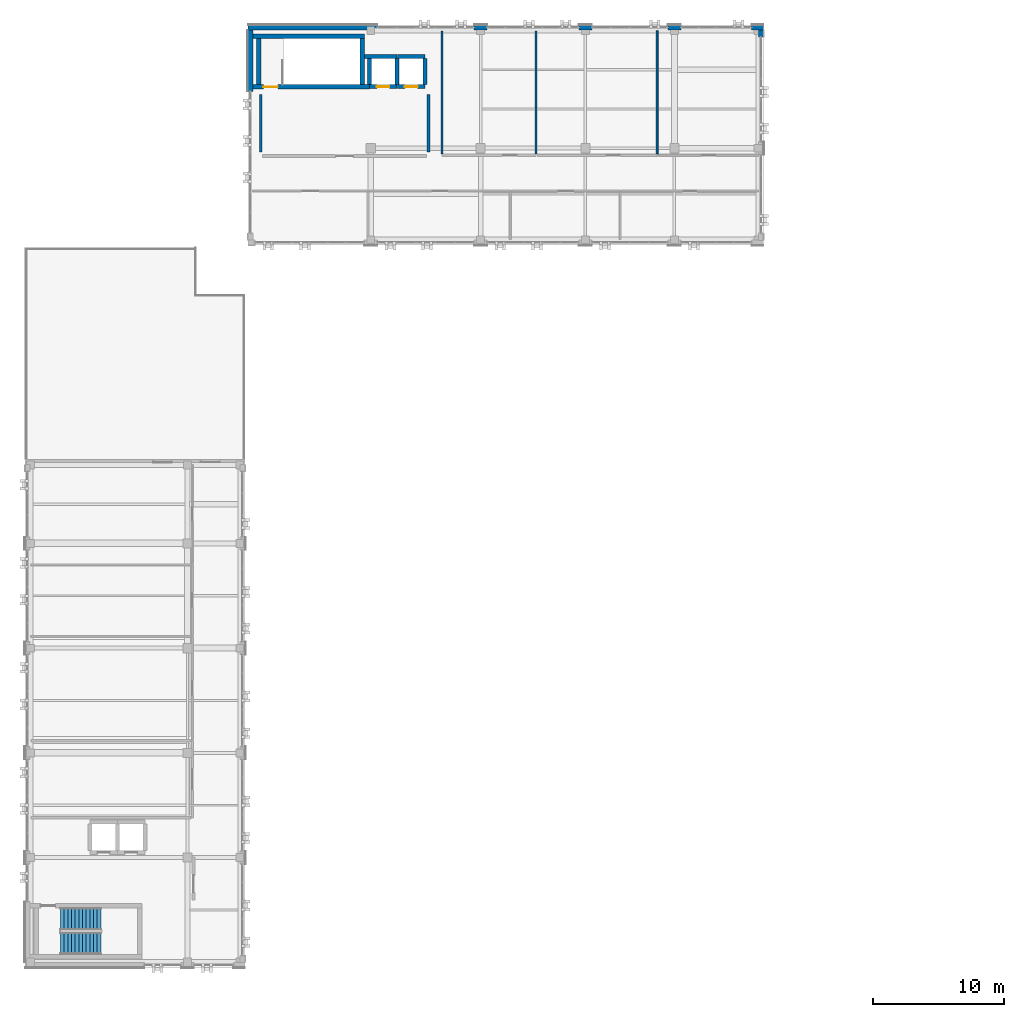
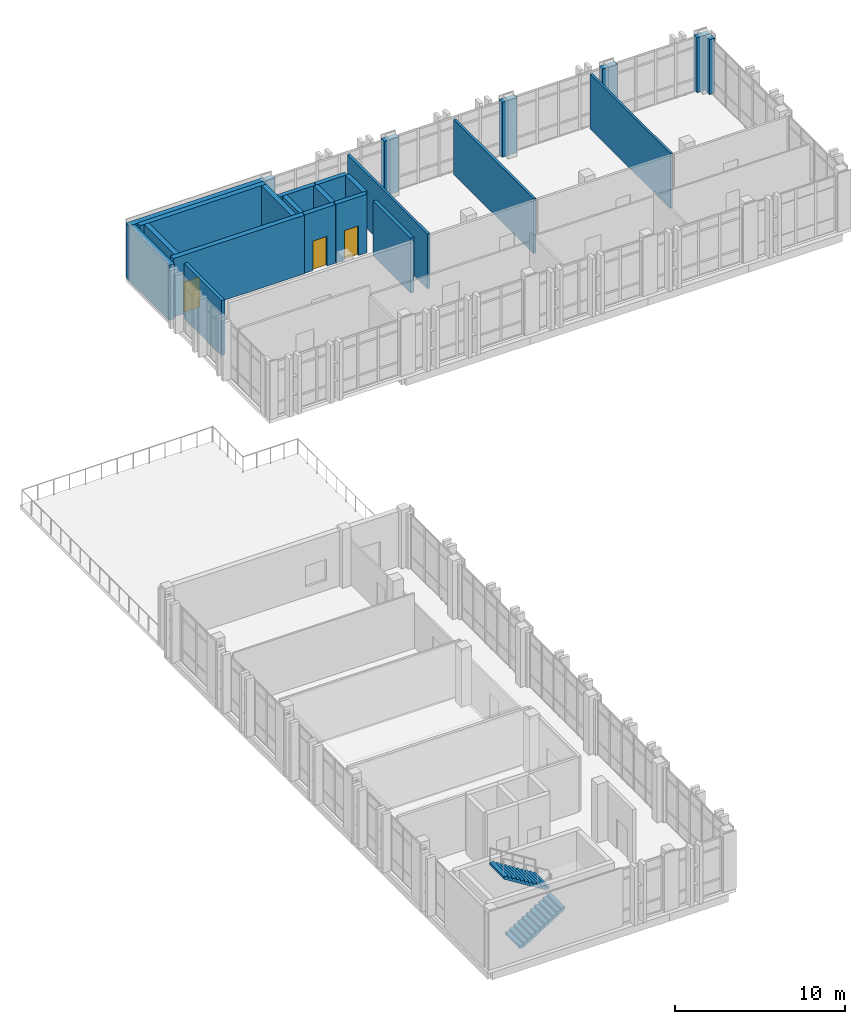
# One storey, part 63 of 77: 23 walls, 3 doors, 2 stair flights, 3 openings, 1 element without a shape of its own.
"""IFC4 building model written with IfcOpenShell, lengths in metres."""

from ifc_helpers import new_model, si_unit, direction, frame, frame_2d, origin, place, context, subcontext, project, spatial, polyline, rectangle, outline, extrude, material, layer, layer_set, type_object, element, fill, aggregate, save


model = new_model("IFC4")

# Units and contexts
model_context = context("Model", 3, precision=1e-05, world=origin(), true_north=direction((0.0, 1.0)))
body_context = subcontext(model_context, "Body", "Model", "MODEL_VIEW")
ifc_project = project(units=[si_unit("LENGTHUNIT", "METRE"), si_unit("AREAUNIT", "SQUARE_METRE"), si_unit("VOLUMEUNIT", "CUBIC_METRE"), si_unit("PLANEANGLEUNIT", "RADIAN"), si_unit("MASSUNIT", "GRAM", prefix="KILO")], contexts=[model_context])

# Site, building, storey
site_placement = place(None, origin())
site = spatial("IfcSite", under=ifc_project, at=site_placement, CompositionType="ELEMENT")
building_placement = place(site_placement, origin())
building = spatial("IfcBuilding", under=site, at=building_placement, Name="Qalavern Law Courts", CompositionType="ELEMENT")
storey_placement = place(building_placement, frame((0.0, 0.0, 27.0)))
storey = spatial("IfcBuildingStorey", under=building, at=storey_placement, Name="L06", CompositionType="ELEMENT", Elevation=27.0)

# Walls
ifc_material_1 = material(Name="Concrete C40/50", Category="concrete")
ifc_layer_1 = layer(ifc_material_1, 0.3701171875)
ifc_layer_set_1 = layer_set([ifc_layer_1], Name="Concrete C40/50")
wall_type_1 = type_object("IfcWallType", Name="ENV-EW-370", PredefinedType="SOLIDWALL", material=ifc_layer_set_1)
wall_1_placement = place(storey_placement, frame((58.215087890625, 112.0849609375, 0.0), z_axis=(0.0, 0.0, 1.0), x_axis=(0.0, 1.0, 0.0)))
element("IfcWall", 1, at=wall_1_placement, inside=storey, type_object=wall_type_1, Name="V5 exterior pier wall L06 east 3", PredefinedType="SOLIDWALL", context=body_context, shape_type="SweptSolid", body=[
    extrude(rectangle(XDim=0.550048828125, YDim=0.3701171875, at=frame_2d((0.27490234375, 0.0))), origin(), (0.0, 0.0, 1.0), 3.93505859375),
])
wall_2_placement = place(storey_placement, frame((58.39990234375, 112.81494140625, 0.0), z_axis=(0.0, 0.0, 1.0), x_axis=(-1.0, 0.0, 0.0)))
element("IfcWall", 2, at=wall_2_placement, inside=storey, type_object=wall_type_1, Name="V5 exterior pier wall L06 north 1", PredefinedType="SOLIDWALL", context=body_context, shape_type="SweptSolid", body=[
    extrude(rectangle(XDim=0.89990234375, YDim=0.3701171875, at=frame_2d((0.449951171875, 0.0))), origin(), (0.0, 0.0, 1.0), 3.93505859375),
])
for number, where, z_axis, x_axis, name in (
    (3, (52.10009765625, 112.81494140625, 0.0), (0.0, 0.0, 1.0), (-1.0, 0.0, 0.0), "V5 exterior pier wall L06 north 2"),
    (4, (45.300048828125, 112.81494140625, 0.0), (0.0, 0.0, 1.0), (-1.0, 0.0, 0.0), "V5 exterior pier wall L06 north 3"),
    (5, (37.300048828125, 112.81494140625, 0.0), (0.0, 0.0, 1.0), (-1.0, 0.0, 0.0), "V5 exterior pier wall L06 north 4"),
):
    element("IfcWall", number, at=place(storey_placement, frame(where, z_axis=z_axis, x_axis=x_axis)), inside=storey, type_object=wall_type_1, Name=name, PredefinedType="SOLIDWALL", context=body_context, shape_type="SweptSolid", body=[
        extrude(rectangle(XDim=1.0, YDim=0.3701171875, at=frame_2d((0.5, 0.0))), origin(), (0.0, 0.0, 1.0), 3.93505859375),
    ])
wall_3_placement = place(storey_placement, frame((28.89990234375, 112.81494140625, 0.0), z_axis=(0.0, 0.0, 1.0), x_axis=(-1.0, 0.0, 0.0)))
element("IfcWall", 6, at=wall_3_placement, inside=storey, type_object=wall_type_1, Name="V5 exterior pier wall L06 north 5", PredefinedType="SOLIDWALL", context=body_context, shape_type="SweptSolid", body=[
    extrude(rectangle(XDim=9.8798828125, YDim=0.3701171875, at=frame_2d((4.93994140625, 0.0))), origin(), (0.0, 0.0, 1.0), 3.93505859375),
])
wall_4_placement = place(storey_placement, frame((19.205078125, 112.635009765625, 0.0), z_axis=(0.0, 0.0, 1.0), x_axis=(0.0, -1.0, 0.0)))
element("IfcWall", 7, at=wall_4_placement, inside=storey, type_object=wall_type_1, Name="V5 exterior pier wall L06 west 1", PredefinedType="SOLIDWALL", context=body_context, shape_type="SweptSolid", body=[
    extrude(rectangle(XDim=4.68505859375, YDim=0.3701171875, at=frame_2d((2.342529296875, 0.0))), origin(), (0.0, 0.0, 1.0), 3.93505859375),
])

# Wall, opening, door
ifc_material_2 = material(Name="Concrete C45/55", Category="concrete")
ifc_layer_2 = layer(ifc_material_2, 0.3349609375)
ifc_layer_set_2 = layer_set([ifc_layer_2], Name="Concrete C45/55")
wall_type_2 = type_object("IfcWallType", Name="INT-CW-335", PredefinedType="SHEAR", material=ifc_layer_set_2)
wall_5_placement = place(storey_placement, frame((19.39306640625, 108.282470703125, 0.0), z_axis=(0.0, 0.0, 1.0), x_axis=(1.0, 0.0, 0.0)))
wall_5 = element("IfcWall", 8, at=wall_5_placement, inside=storey, type_object=wall_type_2, Name="Core K3 stair shear wall L06 south", PredefinedType="SHEAR", context=body_context, shape_type="SweptSolid", body=[
    extrude(rectangle(XDim=8.9013671875, YDim=0.3349609375, at=frame_2d((4.45068359375, 0.0))), origin(), (0.0, 0.0, 1.0), 4.199951171875),
])
opening_1_placement = place(wall_5_placement, frame((0.806884765625, 0.0, 0.0)))
opening_1 = element("IfcOpeningElement", 9, at=opening_1_placement, cuts=wall_5, Name="Opening L06-D085", PredefinedType="OPENING", context=body_context, shape_type="SweptSolid", body=[
    extrude(rectangle(XDim=1.10009765625, YDim=2.14990234375, at=frame_2d((0.550048828125, 1.074951171875))), frame((0.0, 0.182373046875, 0.0), z_axis=(0.0, -1.0, 0.0), x_axis=(1.0, 0.0, 0.0)), (0.0, 0.0, 1.0), 0.36474609375),
])
ifc_material_3 = material(Name="Steel fire-rated stair enclosure door", Category="steel")
door_type_1 = type_object("IfcDoorType", Name="INT-FD-1100x2150", OperationType="NOTDEFINED", PredefinedType="DOOR", material=ifc_material_3)
door_1_placement = place(opening_1_placement, frame((1.10009765625, 0.0, 0.0), z_axis=(0.0, 0.0, 1.0), x_axis=(-1.0, 0.0, 0.0)))
door_1 = element("IfcDoor", 10, at=door_1_placement, inside=storey, type_object=door_type_1, Name="Stair K3 fire door L06", OperationType="SINGLE_SWING_LEFT", OverallHeight=2.14990234375, OverallWidth=1.10009765625, PredefinedType="DOOR", context=body_context, shape_type="SweptSolid", body=[
    extrude(rectangle(XDim=1.10009765625, YDim=2.14990234375, at=frame_2d((0.550048828125, 1.074951171875))), frame((0.0, 0.02490234375, 0.0), z_axis=(0.0, -1.0, 0.0), x_axis=(1.0, 0.0, 0.0)), (0.0, 0.0, 1.0), 0.050048828125),
])
fill(opening_1, door_1)

# Walls
wall_6_placement = place(storey_placement, frame((27.767578125, 108.449951171875, 0.0), z_axis=(0.0, 0.0, 1.0), x_axis=(0.0, 1.0, 0.0)))
element("IfcWall", 11, at=wall_6_placement, inside=storey, type_object=wall_type_2, Name="Core K3 stair shear wall L06 east", PredefinedType="SHEAR", context=body_context, shape_type="SweptSolid", body=[
    extrude(rectangle(XDim=3.550048828125, YDim=0.3349609375, at=frame_2d((1.77490234375, 0.0))), origin(), (0.0, 0.0, 1.0), 4.199951171875),
])
wall_7_placement = place(storey_placement, frame((27.93505859375, 112.16748046875, 0.0), z_axis=(0.0, 0.0, 1.0), x_axis=(-1.0, 0.0, 0.0)))
element("IfcWall", 12, at=wall_7_placement, inside=storey, type_object=wall_type_2, Name="Core K3 stair shear wall L06 north", PredefinedType="SHEAR", context=body_context, shape_type="SweptSolid", body=[
    extrude(rectangle(XDim=8.5419921875, YDim=0.3349609375, at=frame_2d((4.27099609375, 0.0))), origin(), (0.0, 0.0, 1.0), 4.199951171875),
])
wall_8_placement = place(storey_placement, frame((19.83251953125, 112.0, 0.0), z_axis=(0.0, 0.0, 1.0), x_axis=(0.0, -1.0, 0.0)))
element("IfcWall", 13, at=wall_8_placement, inside=storey, type_object=wall_type_2, Name="Core K3 stair shear wall L06 west", PredefinedType="SHEAR", context=body_context, shape_type="SweptSolid", body=[
    extrude(rectangle(XDim=3.550048828125, YDim=0.3349609375, at=frame_2d((1.77490234375, 0.0))), origin(), (0.0, 0.0, 1.0), 4.199951171875),
])
ifc_layer_3 = layer(ifc_material_1, 0.22509765625)
ifc_layer_set_3 = layer_set([ifc_layer_3], Name="Concrete C40/50")
wall_type_3 = type_object("IfcWallType", Name="INT-FW-225", PredefinedType="PARTITIONING", material=ifc_layer_set_3)
for number, where, z_axis, x_axis, name in (
    (14, (20.0, 103.300048828125, 0.0), (0.0, 0.0, 1.0), (0.0, 1.0, 0.0), "Core K3 lobby return wall L06 west"),
    (15, (32.800048828125, 103.300048828125, 0.0), (0.0, 0.0, 1.0), (0.0, 1.0, 0.0), "Core K3 lobby return wall L06 east"),
):
    element("IfcWall", number, at=place(storey_placement, frame(where, z_axis=z_axis, x_axis=x_axis)), inside=storey, type_object=wall_type_3, Name=name, PredefinedType="PARTITIONING", context=body_context, shape_type="SweptSolid", body=[
        extrude(rectangle(XDim=4.39990234375, YDim=0.22509765625, at=frame_2d((2.199951171875, 0.0))), origin(), (0.0, 0.0, 1.0), 3.93505859375),
    ])
ifc_material_4 = material(Name="Gypsum stud partition")
ifc_layer_4 = layer(ifc_material_4, 0.152099609375)
ifc_layer_set_4 = layer_set([ifc_layer_4], Name="Gypsum stud partition")
wall_type_4 = type_object("IfcWallType", Name="INT-PW-152", PredefinedType="PARTITIONING", material=ifc_layer_set_4)
wall_9_placement = place(storey_placement, frame((50.2919921875, 103.156005859375, 0.0), z_axis=(0.0, 0.0, 1.0), x_axis=(0.0, 1.0, 0.0)))
element("IfcWall", 16, at=wall_9_placement, inside=storey, type_object=wall_type_4, Name="Judicial Clerks' Office cross partition L06 east", PredefinedType="PARTITIONING", context=body_context, shape_type="SweptSolid", body=[
    extrude(rectangle(XDim=9.404052734375, YDim=0.152099609375, at=frame_2d((4.7021484375, 0.0))), origin(), (0.0, 0.0, 1.0), 3.93505859375),
])
ifc_layer_5 = layer(ifc_material_4, 0.162109375)
ifc_layer_set_5 = layer_set([ifc_layer_5], Name="Gypsum stud partition")
wall_type_5 = type_object("IfcWallType", Name="INT-PW-162", PredefinedType="PARTITIONING", material=ifc_layer_set_5)
for number, where, z_axis, x_axis, name in (
    (17, (33.840087890625, 103.160888671875, 0.0), (0.0, 0.0, 1.0), (0.0, 1.0, 0.0), "Presiding Judges' Chambers cross partition L06 west"),
    (18, (41.034912109375, 103.160888671875, 0.0), (0.0, 0.0, 1.0), (0.0, 1.0, 0.0), "Presiding Judges' Chambers cross partition L06 east"),
):
    element("IfcWall", number, at=place(storey_placement, frame(where, z_axis=z_axis, x_axis=x_axis)), inside=storey, type_object=wall_type_5, Name=name, PredefinedType="PARTITIONING", context=body_context, shape_type="SweptSolid", body=[
        extrude(rectangle(XDim=9.399169921875, YDim=0.162109375, at=frame_2d((4.69970703125, 0.0))), origin(), (0.0, 0.0, 1.0), 3.93505859375),
    ])

# Wall, opening, door
ifc_layer_6 = layer(ifc_material_2, 0.304931640625)
ifc_layer_set_6 = layer_set([ifc_layer_6], Name="Concrete C45/55")
wall_type_6 = type_object("IfcWallType", Name="INT-SW-305", PredefinedType="SHEAR", material=ifc_layer_set_6)
wall_10_placement = place(storey_placement, frame((28.297607421875, 108.297607421875, 0.0), z_axis=(0.0, 0.0, 1.0), x_axis=(1.0, 0.0, 0.0)))
wall_10 = element("IfcWall", 19, at=wall_10_placement, inside=storey, type_object=wall_type_6, Name="Lift LF-J1 shaft wall L06 south", PredefinedType="SHEAR", context=body_context, shape_type="SweptSolid", body=[
    extrude(rectangle(XDim=2.10498046875, YDim=0.304931640625, at=frame_2d((1.052490234375, 0.0))), origin(), (0.0, 0.0, 1.0), 4.199951171875),
])
opening_2_placement = place(wall_10_placement, frame((0.572509765625, 0.0, 0.0)))
opening_2 = element("IfcOpeningElement", 20, at=opening_2_placement, cuts=wall_10, Name="Opening LD-LF-J1-L06", PredefinedType="OPENING", context=body_context, shape_type="SweptSolid", body=[
    extrude(rectangle(XDim=0.9599609375, YDim=2.1201171875, at=frame_2d((0.47998046875, 1.06005859375))), frame((0.0, 0.16748046875, 0.0), z_axis=(0.0, -1.0, 0.0), x_axis=(1.0, 0.0, 0.0)), (0.0, 0.0, 1.0), 0.334716796875),
])
ifc_material_5 = material(Name="Heavy-gauge steel judicial lift sliding landing door", Category="steel")
door_type_2 = type_object("IfcDoorType", Name="INT-LD-960x2120", OperationType="SLIDING_TO_LEFT", PredefinedType="DOOR", material=ifc_material_5)
door_2_placement = place(opening_2_placement, origin())
door_2 = element("IfcDoor", 21, at=door_2_placement, inside=storey, type_object=door_type_2, Name="Lift LF-J1 sliding landing door L06", OperationType="SLIDING_TO_LEFT", OverallHeight=2.1201171875, OverallWidth=0.9599609375, PredefinedType="DOOR", context=body_context, shape_type="SweptSolid", body=[
    extrude(rectangle(XDim=0.9599609375, YDim=2.1201171875, at=frame_2d((0.47998046875, 1.06005859375))), frame((0.0, 0.02490234375, 0.0), z_axis=(0.0, -1.0, 0.0), x_axis=(1.0, 0.0, 0.0)), (0.0, 0.0, 1.0), 0.050048828125),
])
fill(opening_2, door_2)

# Walls
wall_11_placement = place(storey_placement, frame((30.402587890625, 108.449951171875, 0.0), z_axis=(0.0, 0.0, 1.0), x_axis=(0.0, 1.0, 0.0)))
element("IfcWall", 22, at=wall_11_placement, inside=storey, type_object=wall_type_6, Name="Lift LF-J1 shaft wall L06 east", PredefinedType="SHEAR", context=body_context, shape_type="SweptSolid", body=[
    extrude(rectangle(XDim=2.0, YDim=0.304931640625, at=frame_2d((1.0, 0.0))), origin(), (0.0, 0.0, 1.0), 4.199951171875),
])
wall_12_placement = place(storey_placement, frame((30.402587890625, 110.6025390625, 0.0), z_axis=(0.0, 0.0, 1.0), x_axis=(-1.0, 0.0, 0.0)))
element("IfcWall", 23, at=wall_12_placement, inside=storey, type_object=wall_type_6, Name="Lift LF-J1 shaft wall L06 north", PredefinedType="SHEAR", context=body_context, shape_type="SweptSolid", body=[
    extrude(rectangle(XDim=2.464599609375, YDim=0.304931640625, at=frame_2d((1.232421875, 0.0))), origin(), (0.0, 0.0, 1.0), 4.199951171875),
])
wall_13_placement = place(storey_placement, frame((28.297607421875, 110.449951171875, 0.0), z_axis=(0.0, 0.0, 1.0), x_axis=(0.0, -1.0, 0.0)))
element("IfcWall", 24, at=wall_13_placement, inside=storey, type_object=wall_type_6, Name="Lift LF-J1 shaft wall L06 west", PredefinedType="SHEAR", context=body_context, shape_type="SweptSolid", body=[
    extrude(rectangle(XDim=2.0, YDim=0.304931640625, at=frame_2d((1.0, 0.0))), origin(), (0.0, 0.0, 1.0), 4.199951171875),
])

# Wall, opening, door
wall_14_placement = place(storey_placement, frame((30.447509765625, 108.297607421875, 0.0), z_axis=(0.0, 0.0, 1.0), x_axis=(1.0, 0.0, 0.0)))
wall_14 = element("IfcWall", 25, at=wall_14_placement, inside=storey, type_object=wall_type_6, Name="Lift LF-J2 shaft wall L06 south", PredefinedType="SHEAR", context=body_context, shape_type="SweptSolid", body=[
    extrude(rectangle(XDim=2.10498046875, YDim=0.304931640625, at=frame_2d((1.052490234375, 0.0))), origin(), (0.0, 0.0, 1.0), 4.199951171875),
])
opening_3_placement = place(wall_14_placement, frame((0.572509765625, 0.0, 0.0)))
opening_3 = element("IfcOpeningElement", 26, at=opening_3_placement, cuts=wall_14, Name="Opening LD-LF-J2-L06", PredefinedType="OPENING", context=body_context, shape_type="SweptSolid", body=[
    extrude(rectangle(XDim=0.9599609375, YDim=2.1201171875, at=frame_2d((0.47998046875, 1.06005859375))), frame((0.0, 0.16748046875, 0.0), z_axis=(0.0, -1.0, 0.0), x_axis=(1.0, 0.0, 0.0)), (0.0, 0.0, 1.0), 0.334716796875),
])
door_3_placement = place(opening_3_placement, origin())
door_3 = element("IfcDoor", 27, at=door_3_placement, inside=storey, type_object=door_type_2, Name="Lift LF-J2 sliding landing door L06", OperationType="SLIDING_TO_LEFT", OverallHeight=2.1201171875, OverallWidth=0.9599609375, PredefinedType="DOOR", context=body_context, shape_type="SweptSolid", body=[
    extrude(rectangle(XDim=0.9599609375, YDim=2.1201171875, at=frame_2d((0.47998046875, 1.06005859375))), frame((0.0, 0.02490234375, 0.0), z_axis=(0.0, -1.0, 0.0), x_axis=(1.0, 0.0, 0.0)), (0.0, 0.0, 1.0), 0.050048828125),
])
fill(opening_3, door_3)

# Walls
wall_15_placement = place(storey_placement, frame((32.552490234375, 108.449951171875, 0.0), z_axis=(0.0, 0.0, 1.0), x_axis=(0.0, 1.0, 0.0)))
element("IfcWall", 28, at=wall_15_placement, inside=storey, type_object=wall_type_6, Name="Lift LF-J2 shaft wall L06 east", PredefinedType="SHEAR", context=body_context, shape_type="SweptSolid", body=[
    extrude(rectangle(XDim=2.0, YDim=0.304931640625, at=frame_2d((1.0, 0.0))), origin(), (0.0, 0.0, 1.0), 4.199951171875),
])
wall_16_placement = place(storey_placement, frame((32.552490234375, 110.6025390625, 0.0), z_axis=(0.0, 0.0, 1.0), x_axis=(-1.0, 0.0, 0.0)))
element("IfcWall", 29, at=wall_16_placement, inside=storey, type_object=wall_type_6, Name="Lift LF-J2 shaft wall L06 north", PredefinedType="SHEAR", context=body_context, shape_type="SweptSolid", body=[
    extrude(rectangle(XDim=2.10498046875, YDim=0.304931640625, at=frame_2d((1.052490234375, 0.0))), origin(), (0.0, 0.0, 1.0), 4.199951171875),
])

# Stair, stair flights
ifc_material_6 = material(Name="Concrete C35/45", Category="concrete")
stair_type = type_object("IfcStairType", Name="INT-STAIR-1700", PredefinedType="HALF_TURN_STAIR", material=ifc_material_6)
stair_placement = place(storey_placement, origin())
stair = element("IfcStair", 30, at=stair_placement, inside=storey, type_object=stair_type, Name="L06 ST-K2", PredefinedType="HALF_TURN_STAIR")
stair_flight_type = type_object("IfcStairFlightType", Name="INT-FLIGHT-1700", PredefinedType="STRAIGHT", material=ifc_material_6)
stair_flight_1_placement = place(storey_placement, frame((4.699951171875, 42.85009765625, 0.0), z_axis=(0.0, 0.0, 1.0), x_axis=(1.0, 0.0, 0.0)))
stair_flight_1 = element("IfcStairFlight", 31, at=stair_flight_1_placement, type_object=stair_flight_type, Name="ST-K2 flight 1", NumberOfRisers=12, NumberOfTreads=11, PredefinedType="STRAIGHT", RiserHeight=0.175, TreadLength=0.28, context=body_context, shape_type="SweptSolid", body=[
    extrude(outline(polyline([(0.0, 0.0), (0.0, 0.175048828125), (0.280029296875, 0.175048828125), (0.280029296875, 0.35009765625), (0.56005859375, 0.35009765625), (0.56005859375, 0.52490234375), (0.840087890625, 0.52490234375), (0.840087890625, 0.699951171875), (1.1201171875, 0.699951171875), (1.1201171875, 0.875), (1.39990234375, 0.875), (1.39990234375, 1.050048828125), (1.679931640625, 1.050048828125), (1.679931640625, 1.22509765625), (1.9599609375, 1.22509765625), (1.9599609375, 1.39990234375), (2.239990234375, 1.39990234375), (2.239990234375, 1.574951171875), (2.52001953125, 1.574951171875), (2.52001953125, 1.75), (2.800048828125, 1.75), (2.800048828125, 1.925048828125), (3.080078125, 1.925048828125), (3.080078125, 2.10009765625), (3.080078125, 1.748291015625), (0.28271484375, 0.0), (0.0, 0.0)])), frame((0.0, 0.85009765625, 0.0), z_axis=(0.0, -1.0, 0.0), x_axis=(1.0, 0.0, 0.0)), (0.0, 0.0, 1.0), 1.699951171875),
])
stair_flight_2_placement = place(storey_placement, frame((7.780029296875, 44.699951171875, 2.10009765625), z_axis=(0.0, 0.0, 1.0), x_axis=(-1.0, 0.0, 0.0)))
stair_flight_2 = element("IfcStairFlight", 32, at=stair_flight_2_placement, type_object=stair_flight_type, Name="ST-K2 flight 2", NumberOfRisers=12, NumberOfTreads=11, PredefinedType="STRAIGHT", RiserHeight=0.175, TreadLength=0.28, context=body_context, shape_type="SweptSolid", body=[
    extrude(outline(polyline([(0.0, 0.0), (0.0, 0.175048828125), (0.280029296875, 0.175048828125), (0.280029296875, 0.35009765625), (0.56005859375, 0.35009765625), (0.56005859375, 0.52490234375), (0.840087890625, 0.52490234375), (0.840087890625, 0.699951171875), (1.1201171875, 0.699951171875), (1.1201171875, 0.875), (1.39990234375, 0.875), (1.39990234375, 1.050048828125), (1.679931640625, 1.050048828125), (1.679931640625, 1.22509765625), (1.9599609375, 1.22509765625), (1.9599609375, 1.39990234375), (2.239990234375, 1.39990234375), (2.239990234375, 1.574951171875), (2.52001953125, 1.574951171875), (2.52001953125, 1.75), (2.800048828125, 1.75), (2.800048828125, 1.925048828125), (3.080078125, 1.925048828125), (3.080078125, 2.10009765625), (3.080078125, 1.748291015625), (0.28271484375, 0.0), (0.0, 0.0)])), frame((0.0, 0.85009765625, 0.0), z_axis=(0.0, -1.0, 0.0), x_axis=(1.0, 0.0, 0.0)), (0.0, 0.0, 1.0), 1.699951171875),
])
aggregate(stair, [stair_flight_1, stair_flight_2])

save(model, "model.ifc")
